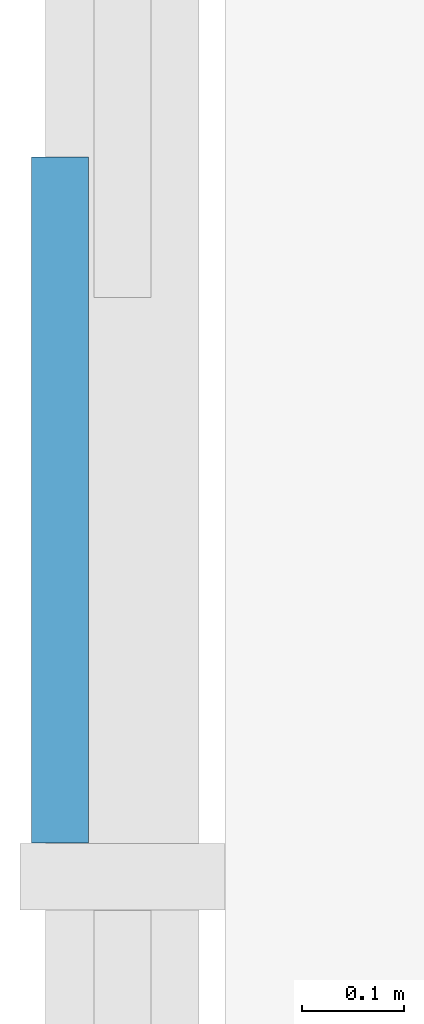
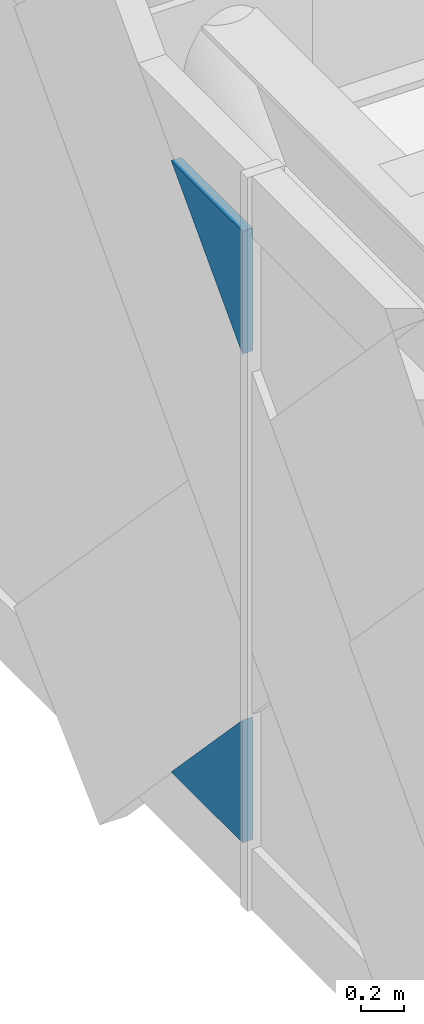
# One storey, part 11 of 17: 2 plates, 1 element without a shape of its own.
"""IFC4 building model written with IfcOpenShell, lengths in metres."""

from ifc_helpers import new_model, si_unit, direction, frame, origin, place, context, subcontext, project, spatial, polyline, outline, extrude, material, layer, layer_set, type_object, element, aggregate, save


model = new_model("IFC4")

# Units and contexts
model_context = context("Model", 3, precision=1e-05, world=origin(), true_north=direction((0.0, 1.0)))
body_context = subcontext(model_context, "Body", "Model", "MODEL_VIEW")
ifc_project = project(units=[si_unit("LENGTHUNIT", "METRE"), si_unit("AREAUNIT", "SQUARE_METRE"), si_unit("VOLUMEUNIT", "CUBIC_METRE"), si_unit("PLANEANGLEUNIT", "RADIAN"), si_unit("MASSUNIT", "GRAM", prefix="KILO")], contexts=[model_context])

# Site, building, storey
site_placement = place(None, origin())
site = spatial("IfcSite", under=ifc_project, at=site_placement, CompositionType="ELEMENT")
building_placement = place(site_placement, origin())
building = spatial("IfcBuilding", under=site, at=building_placement, Name="Rheinbord Bourse Tower", CompositionType="ELEMENT")
storey_placement = place(building_placement, frame((0.0, 0.0, 321.5)))
storey = spatial("IfcBuildingStorey", under=building, at=storey_placement, Name="L73", CompositionType="ELEMENT", Elevation=321.5)

# Curtain wall, plates
ifc_material_1 = material(Name="Dark glass and black aluminium", Category="aluminium")
curtain_wall_type = type_object("IfcCurtainWallType", Name="CW3 DARK GLASS CURTAIN WALL", PredefinedType="USERDEFINED", material=ifc_material_1)
curtain_wall_placement = place(storey_placement, origin())
curtain_wall = element("IfcCurtainWall", 1, at=curtain_wall_placement, inside=storey, type_object=curtain_wall_type, Name="Curtain wall CW3 W L73", ObjectType="UNITISED CURTAIN WALL", PredefinedType="USERDEFINED")
ifc_material_2 = material(Name="Dark tinted triple insulating glass", Category="glass")
ifc_layer = layer(ifc_material_2, 0.055908203125)
ifc_layer_set = layer_set([ifc_layer], Name="CW3 DARK GLASS PANEL")
plate_type = type_object("IfcPlateType", Name="CW3 DARK GLASS PANEL", PredefinedType="CURTAIN_PANEL", material=ifc_layer_set)
plate_1_placement = place(storey_placement, frame((-0.68896484375, 14.23291015625, 0.35009765625), z_axis=(1.0, 0.0, 0.0), x_axis=(0.0, 1.0, 0.0)))
plate_1 = element("IfcPlate", 2, at=plate_1_placement, type_object=plate_type, Name="CW3 glass facet 2", PredefinedType="CURTAIN_PANEL", context=body_context, shape_type="SweptSolid", body=[
    extrude(outline(polyline([(0.0, 0.0), (0.669189453125, 0.0), (0.0, 0.702880859375), (0.0, 0.0)])), origin(), (0.0, 0.0, 1.0), 0.055908203125),
])
plate_2_placement = place(storey_placement, frame((-0.68896484375, 14.23291015625, 3.85009765625), z_axis=(1.0, 0.0, 0.0), x_axis=(0.0, 0.0, -1.0)))
plate_2 = element("IfcPlate", 3, at=plate_2_placement, type_object=plate_type, Name="CW3 glass facet 3", PredefinedType="CURTAIN_PANEL", context=body_context, shape_type="SweptSolid", body=[
    extrude(outline(polyline([(0.0, 0.0), (0.703125, 0.0), (0.0, 0.669189453125), (0.0, 0.0)])), origin(), (0.0, 0.0, 1.0), 0.055908203125),
])
aggregate(curtain_wall, [plate_1, plate_2])

save(model, "model.ifc")
